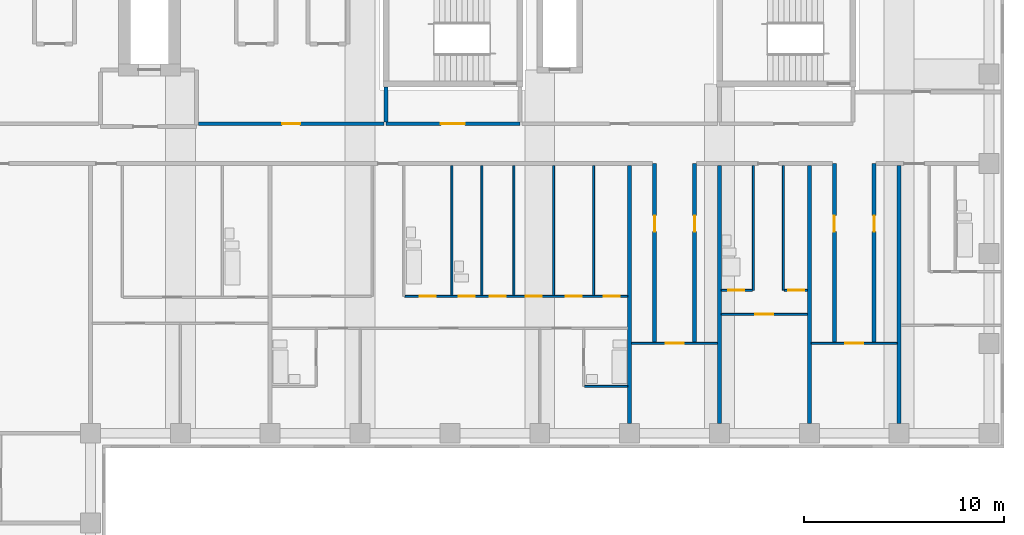
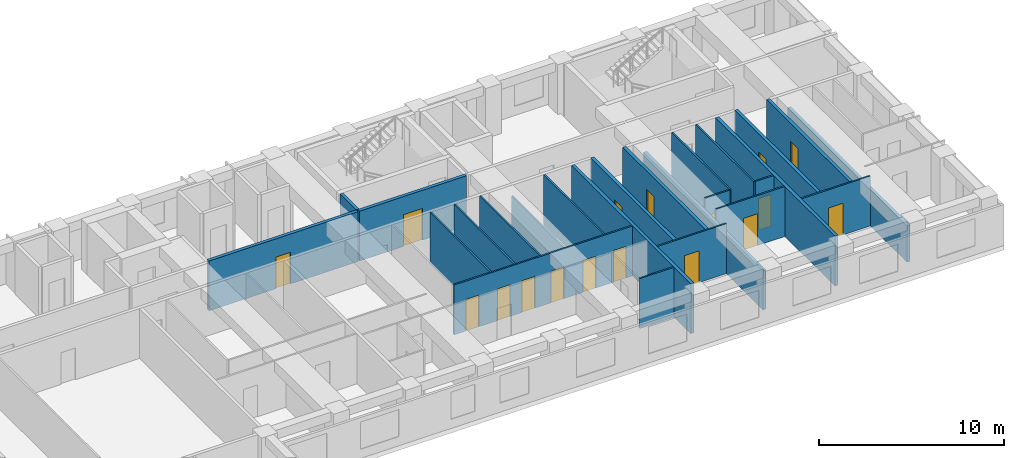
# One storey, part 7 of 12: 25 walls, 17 doors, 17 openings.
"""IFC4 building model written with IfcOpenShell, lengths in metres."""

import ifcopenshell
import ifcopenshell.guid

model = None  # the IFC model being written
_history = None  # IfcOwnerHistory: only IFC2X3 demands one
_inside = {}  # id of a spatial element -> (the spatial element, [elements in it])
_under = {}  # id of a project, library or spatial element -> (it, [spatial elements below it])
_declared = {}  # id of a project -> (the project, [libraries it declares])
_typed = {}  # id of a type object -> (the type object, [elements of that type])
_made_of = {}  # id of a material, layer set ... -> (it, [elements and type objects made of it])


def new_model(schema):
    """Start an empty IFC model of exactly this schema.

    Asked for "IFC4X3", IfcOpenShell would pick the latest addendum, in which some entities
    have other attributes; the version numbers below select the first issue.
    IFC2X3 requires an IfcOwnerHistory on every rooted entity: one is made here for all.
    """
    global model, _history
    if schema == "IFC4X3":
        model = ifcopenshell.file(schema_version=(4, 3, 0, 0))
    else:
        model = ifcopenshell.file(schema=schema)
    _inside.clear()
    _under.clear()
    _declared.clear()
    _typed.clear()
    _made_of.clear()
    _history = None
    if model.schema == "IFC2X3":
        org = make("IfcOrganization", Name="unknown")
        user = make(
            "IfcPersonAndOrganization",
            ThePerson=make("IfcPerson", FamilyName="unknown"),
            TheOrganization=org,
        )
        app = make(
            "IfcApplication",
            ApplicationDeveloper=org,
            Version="unknown",
            ApplicationFullName="unknown",
            ApplicationIdentifier="unknown",
        )
        _history = make(
            "IfcOwnerHistory",
            OwningUser=user,
            OwningApplication=app,
            ChangeAction="ADDED",
            CreationDate=0,
        )
    return model


def make(cls, **values):
    """One entity of the class cls with the attributes given. An attribute that is None is left unset."""
    return model.create_entity(
        cls, **{name: value for name, value in values.items() if value is not None}
    )


def rooted(cls, **values):
    """An entity with a GlobalId (a new one), such as an element, a storey or a relation."""
    return make(cls, GlobalId=ifcopenshell.guid.new(), OwnerHistory=_history, **values)


def si_unit(unit_type, name, prefix=None):
    """IfcSIUnit, for example si_unit("LENGTHUNIT", "METRE", prefix="MILLI")."""
    return make("IfcSIUnit", UnitType=unit_type, Prefix=prefix, Name=name)


def assignment(units):
    """IfcUnitAssignment: the units of a project."""
    return None if units is None else make("IfcUnitAssignment", Units=units)


def point(xyz):
    """IfcCartesianPoint."""
    return None if xyz is None else make("IfcCartesianPoint", Coordinates=xyz)


def direction(xyz):
    """IfcDirection."""
    return None if xyz is None else make("IfcDirection", DirectionRatios=xyz)


def frame(location, z_axis=None, x_axis=None):
    """IfcAxis2Placement3D, a coordinate frame: its origin and axes. An axis left out is left unset."""
    return make(
        "IfcAxis2Placement3D",
        Location=point(location),
        Axis=direction(z_axis),
        RefDirection=direction(x_axis),
    )


def frame_2d(location, x_axis=None):
    """IfcAxis2Placement2D, a coordinate frame in the plane: its origin and x axis."""
    return make(
        "IfcAxis2Placement2D", Location=point(location), RefDirection=direction(x_axis)
    )


def origin():
    """The frame at (0, 0, 0) with its axes left unset."""
    return frame((0.0, 0.0, 0.0))


def place(relative_to, where):
    """IfcLocalPlacement: puts the frame where relative to a parent placement (None: the world)."""
    return make(
        "IfcLocalPlacement", PlacementRelTo=relative_to, RelativePlacement=where
    )


def context(
    kind, dimensions, precision=None, world=None, true_north=None, identifier=None
):
    """IfcGeometricRepresentationContext, for example the 3D "Model" context."""
    return make(
        "IfcGeometricRepresentationContext",
        ContextIdentifier=identifier,
        ContextType=kind,
        CoordinateSpaceDimension=dimensions,
        Precision=precision,
        WorldCoordinateSystem=world,
        TrueNorth=true_north,
    )


def subcontext(parent, identifier, kind, view, scale=None):
    """IfcGeometricRepresentationSubContext, for example "Body" below "Model"."""
    return make(
        "IfcGeometricRepresentationSubContext",
        ContextIdentifier=identifier,
        ContextType=kind,
        ParentContext=parent,
        TargetScale=scale,
        TargetView=view,
    )


def project(units=None, contexts=None):
    """IfcProject with its units and contexts."""
    return rooted(
        "IfcProject",
        Name="project",
        RepresentationContexts=contexts,
        UnitsInContext=assignment(units),
    )


def spatial(cls, under=None, at=None, **own):
    """A site, building, storey or space (cls), placed at a placement, below another one or the project."""
    s = rooted(cls, ObjectPlacement=at, **own)
    if under is not None:
        _under.setdefault(under.id(), (under, []))[1].append(s)
    return s


def profile(cls, at=None, kind="AREA", **sizes):
    """A parametric profile (cls). Its sizes go by their IFC names, for example OverallWidth=200.0."""
    return make(cls, ProfileType=kind, Position=at, **sizes)


def rectangle(**sizes):
    """IfcRectangleProfileDef."""
    return profile("IfcRectangleProfileDef", **sizes)


def extrude(swept, where, along, depth):
    """IfcExtrudedAreaSolid: the profile swept, set in the frame where, extruded along a direction by depth."""
    return make(
        "IfcExtrudedAreaSolid",
        SweptArea=swept,
        Position=where,
        ExtrudedDirection=direction(along),
        Depth=depth,
    )


def shape(context_of_items, identifier, shape_type, items):
    """IfcShapeRepresentation: the items that make up one representation, for example the "Body"."""
    return make(
        "IfcShapeRepresentation",
        ContextOfItems=context_of_items,
        RepresentationIdentifier=identifier,
        RepresentationType=shape_type,
        Items=items,
    )


def material(Name=None, Category=None):
    """IfcMaterial."""
    return make("IfcMaterial", Name=Name, Category=Category)


def layer(
    of_material, thickness, ventilated=None, Name=None, Category=None, Priority=None
):
    """IfcMaterialLayer: one layer of a wall or slab, of a material (None: an air gap)."""
    return make(
        "IfcMaterialLayer",
        Material=of_material,
        LayerThickness=thickness,
        IsVentilated=ventilated,
        Name=Name,
        Category=Category,
        Priority=Priority,
    )


def layer_set(layers, Name=None):
    """IfcMaterialLayerSet."""
    return make("IfcMaterialLayerSet", MaterialLayers=layers, LayerSetName=Name)


def made_of(thing, what):
    """Note that an element or type object is made of a material, layer set ...; save() writes the relation."""
    if what is not None:
        _made_of.setdefault(what.id(), (what, []))[1].append(thing)
    return thing


def type_object(cls, material=None, **own):
    """A type object (cls), such as IfcWallType, which elements share."""
    return made_of(rooted(cls, **own), material)


def element(
    cls,
    number,
    at=None,
    inside=None,
    cuts=None,
    type_object=None,
    material=None,
    context=None,
    identifier="Body",
    shape_type=None,
    held_by="IfcProductDefinitionShape",
    body=None,
    shapes=None,
    **own,
):
    """One element of the class cls, such as IfcWall. Its Tag is "e" and its number.

    at: its placement. inside: the storey or other place that contains it. cuts: it is an
    opening in that element (IfcRelVoidsElement). A single representation is given by context,
    identifier, shape_type and body (its items); several are given by shapes. held_by: the class
    of the entity that holds the representations. save() writes the other relations.
    """
    e = rooted(cls, Tag="e%d" % number, ObjectPlacement=at, **own)
    if body is not None:
        shapes = [shape(context, identifier, shape_type, body)]
    if shapes is not None:
        e.Representation = make(held_by, Representations=shapes)
    if inside is not None:
        _inside.setdefault(inside.id(), (inside, []))[1].append(e)
    if cuts is not None:
        rooted(
            "IfcRelVoidsElement", RelatingBuildingElement=cuts, RelatedOpeningElement=e
        )
    if type_object is not None:
        _typed.setdefault(type_object.id(), (type_object, []))[1].append(e)
    return made_of(e, material)


def fill(opening, filler):
    """IfcRelFillsElement: the door or window that sits in an opening."""
    return rooted(
        "IfcRelFillsElement",
        RelatingOpeningElement=opening,
        RelatedBuildingElement=filler,
    )


def aggregate(whole, parts):
    """IfcRelAggregates: a whole, such as a stair, and the parts it consists of."""
    return rooted("IfcRelAggregates", RelatingObject=whole, RelatedObjects=parts)


def save(model, path):
    """Write the relations noted so far, then the file.

    IfcRelAggregates (storeys below a building ...), IfcRelContainedInSpatialStructure (elements
    in a storey), IfcRelDefinesByType, IfcRelAssociatesMaterial and IfcRelDeclares: one each for
    every whole, place, type object, material and project.
    """
    for whole, parts in _under.values():
        aggregate(whole, parts)
    for where, things in _inside.values():
        rooted(
            "IfcRelContainedInSpatialStructure",
            RelatedElements=things,
            RelatingStructure=where,
        )
    for kind, things in _typed.values():
        rooted("IfcRelDefinesByType", RelatedObjects=things, RelatingType=kind)
    for what, things in _made_of.values():
        rooted("IfcRelAssociatesMaterial", RelatedObjects=things, RelatingMaterial=what)
    for by, libraries in _declared.values():
        rooted("IfcRelDeclares", RelatingContext=by, RelatedDefinitions=libraries)
    model.write(path)


model = new_model("IFC4")

# Units and contexts
model_context = context("Model", 3, precision=1e-05, world=origin(), true_north=direction((0.0, 1.0)))
body_context = subcontext(model_context, "Body", "Model", "MODEL_VIEW")
ifc_project = project(units=[si_unit("LENGTHUNIT", "METRE"), si_unit("AREAUNIT", "SQUARE_METRE"), si_unit("VOLUMEUNIT", "CUBIC_METRE"), si_unit("PLANEANGLEUNIT", "RADIAN"), si_unit("MASSUNIT", "GRAM", prefix="KILO")], contexts=[model_context])

# Site, building, storey
site_placement = place(None, origin())
site = spatial("IfcSite", under=ifc_project, at=site_placement, CompositionType="ELEMENT")
building_placement = place(site_placement, origin())
building = spatial("IfcBuilding", under=site, at=building_placement, Name="Firuza Court", CompositionType="ELEMENT")
storey_placement = place(building_placement, frame((0.0, 0.0, 123.199951171875)))
storey = spatial("IfcBuildingStorey", under=building, at=storey_placement, Name="L30", CompositionType="ELEMENT", Elevation=123.199951171875)

# Walls
ifc_material_1 = material(Name="Moisture-resistant gypsum board partition")
ifc_layer_1 = layer(ifc_material_1, 0.10009765625)
ifc_layer_set_1 = layer_set([ifc_layer_1], Name="Moisture-resistant gypsum board partition")
wall_type_1 = type_object("IfcWallType", Name="Bathroom partition 100", PredefinedType="PLUMBINGWALL", material=ifc_layer_set_1)
wall_1_placement = place(storey_placement, frame((47.25, 38.35009765625, 0.0), z_axis=(0.0, 0.0, 1.0), x_axis=(1.0, 0.0, 0.0)))
element("IfcWall", 1, at=wall_1_placement, inside=storey, type_object=wall_type_1, Name="Bathroom partition 100 L30", PredefinedType="PLUMBINGWALL", context=body_context, shape_type="SweptSolid", body=[
    extrude(rectangle(XDim=2.14990234375, YDim=0.10009765625, at=frame_2d((1.074951171875, 0.0))), origin(), (0.0, 0.0, 1.0), 3.300048828125),
])
for number, where, z_axis, x_axis, name in (
    (2, (40.60009765625, 42.89990234375, 0.0), (0.0, 0.0, 1.0), (0.0, 1.0, 0.0), "Bathroom partition 100 L30"),
    (3, (42.10009765625, 42.89990234375, 0.0), (0.0, 0.0, 1.0), (0.0, 1.0, 0.0), "Bathroom partition 100 L30"),
):
    element("IfcWall", number, at=place(storey_placement, frame(where, z_axis=z_axis, x_axis=x_axis)), inside=storey, type_object=wall_type_1, Name=name, PredefinedType="PLUMBINGWALL", context=body_context, shape_type="SweptSolid", body=[
        extrude(rectangle(XDim=6.5, YDim=0.10009765625, at=frame_2d((3.25, 0.0))), origin(), (0.0, 0.0, 1.0), 3.300048828125),
    ])
wall_2_placement = place(storey_placement, frame((55.699951171875, 43.14990234375, 0.0), z_axis=(0.0, 0.0, 1.0), x_axis=(0.0, 1.0, 0.0)))
element("IfcWall", 4, at=wall_2_placement, inside=storey, type_object=wall_type_1, Name="Bathroom partition 100 L30", PredefinedType="PLUMBINGWALL", context=body_context, shape_type="SweptSolid", body=[
    extrude(rectangle(XDim=6.25, YDim=0.10009765625, at=frame_2d((3.125, 0.0))), origin(), (0.0, 0.0, 1.0), 3.300048828125),
])

# Wall, opening, door
ifc_material_2 = material(Name="Blockwork, plastered both sides", Category="masonry")
ifc_layer_2 = layer(ifc_material_2, 0.199951171875)
ifc_layer_set_2 = layer_set([ifc_layer_2], Name="Blockwork, plastered both sides")
wall_type_2 = type_object("IfcWallType", Name="Corridor wall 200", PredefinedType="PARTITIONING", material=ifc_layer_set_2)
wall_3_placement = place(storey_placement, frame((50.75, 40.550048828125, 0.0), z_axis=(0.0, 0.0, 1.0), x_axis=(0.0, 1.0, 0.0)))
wall_3 = element("IfcWall", 5, at=wall_3_placement, inside=storey, type_object=wall_type_2, Name="Corridor wall 200 L30", PredefinedType="PARTITIONING", context=body_context, shape_type="SweptSolid", body=[
    extrude(rectangle(XDim=8.949951171875, YDim=0.199951171875, at=frame_2d((4.47509765625, 0.0))), origin(), (0.0, 0.0, 1.0), 3.300048828125),
])
opening_1_placement = place(wall_3_placement, frame((5.550048828125, 0.0, 0.0)))
opening_1 = element("IfcOpeningElement", 6, at=opening_1_placement, cuts=wall_3, Name="Opening D30042", PredefinedType="OPENING", context=body_context, shape_type="SweptSolid", body=[
    extrude(rectangle(XDim=0.800048828125, YDim=2.10009765625, at=frame_2d((0.39990234375, 1.050048828125))), frame((0.0, 0.11181640625, 0.0), z_axis=(0.0, -1.0, 0.0), x_axis=(1.0, 0.0, 0.0)), (0.0, 0.0, 1.0), 0.223876953125),
])
ifc_material_3 = material(Name="Timber door leaf in hardwood frame", Category="wood")
door_type_1 = type_object("IfcDoorType", Name="Room door 800 EI 30", OperationType="SINGLE_SWING_LEFT", PredefinedType="DOOR", material=ifc_material_3)
door_1_placement = place(opening_1_placement, origin())
door_1 = element("IfcDoor", 7, at=door_1_placement, inside=storey, type_object=door_type_1, Name="Store door", OperationType="SINGLE_SWING_RIGHT", OverallHeight=2.10009765625, OverallWidth=0.800048828125, PredefinedType="DOOR", context=body_context, shape_type="SweptSolid", body=[
    extrude(rectangle(XDim=0.800048828125, YDim=2.10009765625, at=frame_2d((0.39990234375, 1.050048828125))), frame((0.0, 0.02490234375, 0.0), z_axis=(0.0, -1.0, 0.0), x_axis=(1.0, 0.0, 0.0)), (0.0, 0.0, 1.0), 0.050048828125),
])
fill(opening_1, door_1)

wall_4_placement = place(storey_placement, frame((52.75, 40.550048828125, 0.0), z_axis=(0.0, 0.0, 1.0), x_axis=(0.0, 1.0, 0.0)))
wall_4 = element("IfcWall", 8, at=wall_4_placement, inside=storey, type_object=wall_type_2, Name="Corridor wall 200 L30", PredefinedType="PARTITIONING", context=body_context, shape_type="SweptSolid", body=[
    extrude(rectangle(XDim=8.949951171875, YDim=0.199951171875, at=frame_2d((4.47509765625, 0.0))), origin(), (0.0, 0.0, 1.0), 3.300048828125),
])
opening_2_placement = place(wall_4_placement, frame((5.550048828125, 0.0, 0.0)))
opening_2 = element("IfcOpeningElement", 9, at=opening_2_placement, cuts=wall_4, Name="Opening D30043", PredefinedType="OPENING", context=body_context, shape_type="SweptSolid", body=[
    extrude(rectangle(XDim=0.800048828125, YDim=2.10009765625, at=frame_2d((0.39990234375, 1.050048828125))), frame((0.0, 0.11181640625, 0.0), z_axis=(0.0, -1.0, 0.0), x_axis=(1.0, 0.0, 0.0)), (0.0, 0.0, 1.0), 0.223876953125),
])
door_2_placement = place(opening_2_placement, frame((0.800048828125, 0.0, 0.0), z_axis=(0.0, 0.0, 1.0), x_axis=(-1.0, 0.0, 0.0)))
door_2 = element("IfcDoor", 10, at=door_2_placement, inside=storey, type_object=door_type_1, Name="Store door", OperationType="SINGLE_SWING_LEFT", OverallHeight=2.10009765625, OverallWidth=0.800048828125, PredefinedType="DOOR", context=body_context, shape_type="SweptSolid", body=[
    extrude(rectangle(XDim=0.800048828125, YDim=2.10009765625, at=frame_2d((0.39990234375, 1.050048828125))), frame((0.0, 0.02490234375, 0.0), z_axis=(0.0, -1.0, 0.0), x_axis=(1.0, 0.0, 0.0)), (0.0, 0.0, 1.0), 0.050048828125),
])
fill(opening_2, door_2)

wall_5_placement = place(storey_placement, frame((59.75, 40.550048828125, 0.0), z_axis=(0.0, 0.0, 1.0), x_axis=(0.0, 1.0, 0.0)))
wall_5 = element("IfcWall", 11, at=wall_5_placement, inside=storey, type_object=wall_type_2, Name="Corridor wall 200 L30", PredefinedType="PARTITIONING", context=body_context, shape_type="SweptSolid", body=[
    extrude(rectangle(XDim=8.949951171875, YDim=0.199951171875, at=frame_2d((4.47509765625, 0.0))), origin(), (0.0, 0.0, 1.0), 3.300048828125),
])
opening_3_placement = place(wall_5_placement, frame((5.550048828125, 0.0, 0.0)))
opening_3 = element("IfcOpeningElement", 12, at=opening_3_placement, cuts=wall_5, Name="Opening D30044", PredefinedType="OPENING", context=body_context, shape_type="SweptSolid", body=[
    extrude(rectangle(XDim=0.800048828125, YDim=2.10009765625, at=frame_2d((0.39990234375, 1.050048828125))), frame((0.0, 0.11181640625, 0.0), z_axis=(0.0, -1.0, 0.0), x_axis=(1.0, 0.0, 0.0)), (0.0, 0.0, 1.0), 0.223876953125),
])
door_3_placement = place(opening_3_placement, origin())
door_3 = element("IfcDoor", 13, at=door_3_placement, inside=storey, type_object=door_type_1, Name="Store door", OperationType="SINGLE_SWING_RIGHT", OverallHeight=2.10009765625, OverallWidth=0.800048828125, PredefinedType="DOOR", context=body_context, shape_type="SweptSolid", body=[
    extrude(rectangle(XDim=0.800048828125, YDim=2.10009765625, at=frame_2d((0.39990234375, 1.050048828125))), frame((0.0, 0.02490234375, 0.0), z_axis=(0.0, -1.0, 0.0), x_axis=(1.0, 0.0, 0.0)), (0.0, 0.0, 1.0), 0.050048828125),
])
fill(opening_3, door_3)

wall_6_placement = place(storey_placement, frame((61.75, 40.550048828125, 0.0), z_axis=(0.0, 0.0, 1.0), x_axis=(0.0, 1.0, 0.0)))
wall_6 = element("IfcWall", 14, at=wall_6_placement, inside=storey, type_object=wall_type_2, Name="Corridor wall 200 L30", PredefinedType="PARTITIONING", context=body_context, shape_type="SweptSolid", body=[
    extrude(rectangle(XDim=8.949951171875, YDim=0.199951171875, at=frame_2d((4.47509765625, 0.0))), origin(), (0.0, 0.0, 1.0), 3.300048828125),
])
opening_4_placement = place(wall_6_placement, frame((5.550048828125, 0.0, 0.0)))
opening_4 = element("IfcOpeningElement", 15, at=opening_4_placement, cuts=wall_6, Name="Opening D30045", PredefinedType="OPENING", context=body_context, shape_type="SweptSolid", body=[
    extrude(rectangle(XDim=0.800048828125, YDim=2.10009765625, at=frame_2d((0.39990234375, 1.050048828125))), frame((0.0, 0.11181640625, 0.0), z_axis=(0.0, -1.0, 0.0), x_axis=(1.0, 0.0, 0.0)), (0.0, 0.0, 1.0), 0.223876953125),
])
door_4_placement = place(opening_4_placement, frame((0.800048828125, 0.0, 0.0), z_axis=(0.0, 0.0, 1.0), x_axis=(-1.0, 0.0, 0.0)))
door_4 = element("IfcDoor", 16, at=door_4_placement, inside=storey, type_object=door_type_1, Name="Store door", OperationType="SINGLE_SWING_LEFT", OverallHeight=2.10009765625, OverallWidth=0.800048828125, PredefinedType="DOOR", context=body_context, shape_type="SweptSolid", body=[
    extrude(rectangle(XDim=0.800048828125, YDim=2.10009765625, at=frame_2d((0.39990234375, 1.050048828125))), frame((0.0, 0.02490234375, 0.0), z_axis=(0.0, -1.0, 0.0), x_axis=(1.0, 0.0, 0.0)), (0.0, 0.0, 1.0), 0.050048828125),
])
fill(opening_4, door_4)

wall_7_placement = place(storey_placement, frame((27.89990234375, 51.5, 0.0), z_axis=(0.0, 0.0, 1.0), x_axis=(1.0, 0.0, 0.0)))
wall_7 = element("IfcWall", 17, at=wall_7_placement, inside=storey, type_object=wall_type_2, Name="Corridor wall 200 L30", PredefinedType="PARTITIONING", context=body_context, shape_type="SweptSolid", body=[
    extrude(rectangle(XDim=9.300048828125, YDim=0.199951171875, at=frame_2d((4.64990234375, 0.0))), origin(), (0.0, 0.0, 1.0), 3.300048828125),
])
opening_5_placement = place(wall_7_placement, frame((4.199951171875, 0.0, 0.0)))
opening_5 = element("IfcOpeningElement", 18, at=opening_5_placement, cuts=wall_7, Name="Opening D30072", PredefinedType="OPENING", context=body_context, shape_type="SweptSolid", body=[
    extrude(rectangle(XDim=0.89990234375, YDim=2.10009765625, at=frame_2d((0.449951171875, 1.050048828125))), frame((0.0, 0.11181640625, 0.0), z_axis=(0.0, -1.0, 0.0), x_axis=(1.0, 0.0, 0.0)), (0.0, 0.0, 1.0), 0.223876953125),
])
ifc_material_4 = material(Name="Timber door leaf in hardwood frame", Category="wood")
door_type_2 = type_object("IfcDoorType", Name="Room door 900 EI 30", OperationType="SINGLE_SWING_LEFT", PredefinedType="DOOR", material=ifc_material_4)
door_5_placement = place(opening_5_placement, origin())
door_5 = element("IfcDoor", 19, at=door_5_placement, inside=storey, type_object=door_type_2, Name="Meeting room door", OperationType="SINGLE_SWING_LEFT", OverallHeight=2.10009765625, OverallWidth=0.89990234375, PredefinedType="DOOR", context=body_context, shape_type="SweptSolid", body=[
    extrude(rectangle(XDim=0.89990234375, YDim=2.10009765625, at=frame_2d((0.449951171875, 1.050048828125))), frame((0.0, 0.02490234375, 0.0), z_axis=(0.0, -1.0, 0.0), x_axis=(1.0, 0.0, 0.0)), (0.0, 0.0, 1.0), 0.050048828125),
])
fill(opening_5, door_5)

ifc_material_5 = material(Name="Timber stud partition, plasterboard both sides", Category="wood")
ifc_layer_3 = layer(ifc_material_5, 0.10009765625)
ifc_layer_set_3 = layer_set([ifc_layer_3], Name="Timber stud partition, plasterboard both sides")
wall_type_3 = type_object("IfcWallType", Name="Partition wall 100", PredefinedType="PARTITIONING", material=ifc_layer_set_3)
wall_8_placement = place(storey_placement, frame((49.60009765625, 40.5, 0.0), z_axis=(0.0, 0.0, 1.0), x_axis=(1.0, 0.0, 0.0)))
wall_8 = element("IfcWall", 20, at=wall_8_placement, inside=storey, type_object=wall_type_3, Name="Partition wall 100 L30", PredefinedType="PARTITIONING", context=body_context, shape_type="SweptSolid", body=[
    extrude(rectangle(XDim=4.2998046875, YDim=0.10009765625, at=frame_2d((2.14990234375, 0.0))), origin(), (0.0, 0.0, 1.0), 3.300048828125),
])
opening_6_placement = place(wall_8_placement, frame((1.699951171875, 0.0, 0.0)))
opening_6 = element("IfcOpeningElement", 21, at=opening_6_placement, cuts=wall_8, Name="Opening D30040", PredefinedType="OPENING", context=body_context, shape_type="SweptSolid", body=[
    extrude(rectangle(XDim=0.89990234375, YDim=2.10009765625, at=frame_2d((0.449951171875, 1.050048828125))), frame((0.0, 0.06201171875, 0.0), z_axis=(0.0, -1.0, 0.0), x_axis=(1.0, 0.0, 0.0)), (0.0, 0.0, 1.0), 0.1240234375),
])
ifc_material_6 = material(Name="Timber door leaf in hardwood frame", Category="wood")
door_type_3 = type_object("IfcDoorType", Name="Room door 900", OperationType="SINGLE_SWING_LEFT", PredefinedType="DOOR", material=ifc_material_6)
door_6_placement = place(opening_6_placement, origin())
door_6 = element("IfcDoor", 22, at=door_6_placement, inside=storey, type_object=door_type_3, Name="Sky lounge door", OperationType="SINGLE_SWING_LEFT", OverallHeight=2.10009765625, OverallWidth=0.89990234375, PredefinedType="DOOR", context=body_context, shape_type="SweptSolid", body=[
    extrude(rectangle(XDim=0.89990234375, YDim=2.10009765625, at=frame_2d((0.449951171875, 1.050048828125))), frame((0.0, 0.02490234375, 0.0), z_axis=(0.0, -1.0, 0.0), x_axis=(1.0, 0.0, 0.0)), (0.0, 0.0, 1.0), 0.050048828125),
])
fill(opening_6, door_6)

wall_9_placement = place(storey_placement, frame((58.60009765625, 40.5, 0.0), z_axis=(0.0, 0.0, 1.0), x_axis=(1.0, 0.0, 0.0)))
wall_9 = element("IfcWall", 23, at=wall_9_placement, inside=storey, type_object=wall_type_3, Name="Partition wall 100 L30", PredefinedType="PARTITIONING", context=body_context, shape_type="SweptSolid", body=[
    extrude(rectangle(XDim=4.2998046875, YDim=0.10009765625, at=frame_2d((2.14990234375, 0.0))), origin(), (0.0, 0.0, 1.0), 3.300048828125),
])
opening_7_placement = place(wall_9_placement, frame((1.699951171875, 0.0, 0.0)))
opening_7 = element("IfcOpeningElement", 24, at=opening_7_placement, cuts=wall_9, Name="Opening D30041", PredefinedType="OPENING", context=body_context, shape_type="SweptSolid", body=[
    extrude(rectangle(XDim=0.89990234375, YDim=2.10009765625, at=frame_2d((0.449951171875, 1.050048828125))), frame((0.0, 0.06201171875, 0.0), z_axis=(0.0, -1.0, 0.0), x_axis=(1.0, 0.0, 0.0)), (0.0, 0.0, 1.0), 0.1240234375),
])
door_7_placement = place(opening_7_placement, origin())
door_7 = element("IfcDoor", 25, at=door_7_placement, inside=storey, type_object=door_type_3, Name="Residents' lounge door", OperationType="SINGLE_SWING_LEFT", OverallHeight=2.10009765625, OverallWidth=0.89990234375, PredefinedType="DOOR", context=body_context, shape_type="SweptSolid", body=[
    extrude(rectangle(XDim=0.89990234375, YDim=2.10009765625, at=frame_2d((0.449951171875, 1.050048828125))), frame((0.0, 0.02490234375, 0.0), z_axis=(0.0, -1.0, 0.0), x_axis=(1.0, 0.0, 0.0)), (0.0, 0.0, 1.0), 0.050048828125),
])
fill(opening_7, door_7)

wall_10_placement = place(storey_placement, frame((54.10009765625, 41.949951171875, 0.0), z_axis=(0.0, 0.0, 1.0), x_axis=(1.0, 0.0, 0.0)))
wall_10 = element("IfcWall", 26, at=wall_10_placement, inside=storey, type_object=wall_type_3, Name="Partition wall 100 L30", PredefinedType="PARTITIONING", context=body_context, shape_type="SweptSolid", body=[
    extrude(rectangle(XDim=4.2998046875, YDim=0.10009765625, at=frame_2d((2.14990234375, 0.0))), origin(), (0.0, 0.0, 1.0), 3.300048828125),
])
opening_8_placement = place(wall_10_placement, frame((1.699951171875, 0.0, 0.0)))
opening_8 = element("IfcOpeningElement", 27, at=opening_8_placement, cuts=wall_10, Name="Opening D30052", PredefinedType="OPENING", context=body_context, shape_type="SweptSolid", body=[
    extrude(rectangle(XDim=0.89990234375, YDim=2.10009765625, at=frame_2d((0.449951171875, 1.050048828125))), frame((0.0, 0.06201171875, 0.0), z_axis=(0.0, -1.0, 0.0), x_axis=(1.0, 0.0, 0.0)), (0.0, 0.0, 1.0), 0.1240234375),
])
door_8_placement = place(opening_8_placement, frame((0.89990234375, 0.0, 0.0), z_axis=(0.0, 0.0, 1.0), x_axis=(-1.0, 0.0, 0.0)))
door_8 = element("IfcDoor", 28, at=door_8_placement, inside=storey, type_object=door_type_3, Name="Studio room door", OperationType="SINGLE_SWING_RIGHT", OverallHeight=2.10009765625, OverallWidth=0.89990234375, PredefinedType="DOOR", context=body_context, shape_type="SweptSolid", body=[
    extrude(rectangle(XDim=0.89990234375, YDim=2.10009765625, at=frame_2d((0.449951171875, 1.050048828125))), frame((0.0, 0.02490234375, 0.0), z_axis=(0.0, -1.0, 0.0), x_axis=(1.0, 0.0, 0.0)), (0.0, 0.0, 1.0), 0.050048828125),
])
fill(opening_8, door_8)

# Wall, openings, doors
wall_11_placement = place(storey_placement, frame((38.25, 42.85009765625, 0.0), z_axis=(0.0, 0.0, 1.0), x_axis=(1.0, 0.0, 0.0)))
wall_11 = element("IfcWall", 29, at=wall_11_placement, inside=storey, type_object=wall_type_3, Name="Partition wall 100 L30", PredefinedType="PARTITIONING", context=body_context, shape_type="SweptSolid", body=[
    extrude(rectangle(XDim=11.14990234375, YDim=0.10009765625, at=frame_2d((5.574951171875, 0.0))), origin(), (0.0, 0.0, 1.0), 3.300048828125),
])
opening_9_placement = place(wall_11_placement, frame((0.75, 0.0, 0.0)))
opening_9 = element("IfcOpeningElement", 30, at=opening_9_placement, cuts=wall_11, Name="Opening D30056", PredefinedType="OPENING", context=body_context, shape_type="SweptSolid", body=[
    extrude(rectangle(XDim=0.800048828125, YDim=2.10009765625, at=frame_2d((0.39990234375, 1.050048828125))), frame((0.0, 0.06201171875, 0.0), z_axis=(0.0, -1.0, 0.0), x_axis=(1.0, 0.0, 0.0)), (0.0, 0.0, 1.0), 0.1240234375),
])
opening_10_placement = place(wall_11_placement, frame((8.050048828125, 0.0, 0.0)))
opening_10 = element("IfcOpeningElement", 31, at=opening_10_placement, cuts=wall_11, Name="Opening D30057", PredefinedType="OPENING", context=body_context, shape_type="SweptSolid", body=[
    extrude(rectangle(XDim=0.800048828125, YDim=2.10009765625, at=frame_2d((0.39990234375, 1.050048828125))), frame((0.0, 0.06201171875, 0.0), z_axis=(0.0, -1.0, 0.0), x_axis=(1.0, 0.0, 0.0)), (0.0, 0.0, 1.0), 0.1240234375),
])
opening_11_placement = place(wall_11_placement, frame((4.25, 0.0, 0.0)))
opening_11 = element("IfcOpeningElement", 32, at=opening_11_placement, cuts=wall_11, Name="Opening D30058", PredefinedType="OPENING", context=body_context, shape_type="SweptSolid", body=[
    extrude(rectangle(XDim=0.800048828125, YDim=2.10009765625, at=frame_2d((0.39990234375, 1.050048828125))), frame((0.0, 0.06201171875, 0.0), z_axis=(0.0, -1.0, 0.0), x_axis=(1.0, 0.0, 0.0)), (0.0, 0.0, 1.0), 0.1240234375),
])
opening_12_placement = place(wall_11_placement, frame((6.050048828125, 0.0, 0.0)))
opening_12 = element("IfcOpeningElement", 33, at=opening_12_placement, cuts=wall_11, Name="Opening D30059", PredefinedType="OPENING", context=body_context, shape_type="SweptSolid", body=[
    extrude(rectangle(XDim=0.800048828125, YDim=2.10009765625, at=frame_2d((0.39990234375, 1.050048828125))), frame((0.0, 0.06201171875, 0.0), z_axis=(0.0, -1.0, 0.0), x_axis=(1.0, 0.0, 0.0)), (0.0, 0.0, 1.0), 0.1240234375),
])
opening_13_placement = place(wall_11_placement, frame((9.949951171875, 0.0, 0.0)))
opening_13 = element("IfcOpeningElement", 34, at=opening_13_placement, cuts=wall_11, Name="Opening D30060", PredefinedType="OPENING", context=body_context, shape_type="SweptSolid", body=[
    extrude(rectangle(XDim=0.800048828125, YDim=2.10009765625, at=frame_2d((0.39990234375, 1.050048828125))), frame((0.0, 0.06201171875, 0.0), z_axis=(0.0, -1.0, 0.0), x_axis=(1.0, 0.0, 0.0)), (0.0, 0.0, 1.0), 0.1240234375),
])
opening_14_placement = place(wall_11_placement, frame((2.699951171875, 0.0, 0.0)))
opening_14 = element("IfcOpeningElement", 35, at=opening_14_placement, cuts=wall_11, Name="Opening D30061", PredefinedType="OPENING", context=body_context, shape_type="SweptSolid", body=[
    extrude(rectangle(XDim=0.800048828125, YDim=2.10009765625, at=frame_2d((0.39990234375, 1.050048828125))), frame((0.0, 0.06201171875, 0.0), z_axis=(0.0, -1.0, 0.0), x_axis=(1.0, 0.0, 0.0)), (0.0, 0.0, 1.0), 0.1240234375),
])
ifc_material_7 = material(Name="Timber door leaf in hardwood frame", Category="wood")
door_type_4 = type_object("IfcDoorType", Name="Bathroom door 800", OperationType="SINGLE_SWING_LEFT", PredefinedType="DOOR", material=ifc_material_7)
door_9_placement = place(opening_9_placement, origin())
door_9 = element("IfcDoor", 36, at=door_9_placement, inside=storey, type_object=door_type_4, Name="Bathroom door", OperationType="SINGLE_SWING_LEFT", OverallHeight=2.10009765625, OverallWidth=0.800048828125, PredefinedType="DOOR", context=body_context, shape_type="SweptSolid", body=[
    extrude(rectangle(XDim=0.800048828125, YDim=2.10009765625, at=frame_2d((0.39990234375, 1.050048828125))), frame((0.0, 0.02490234375, 0.0), z_axis=(0.0, -1.0, 0.0), x_axis=(1.0, 0.0, 0.0)), (0.0, 0.0, 1.0), 0.050048828125),
])
fill(opening_9, door_9)
door_10_placement = place(opening_14_placement, origin())
door_10 = element("IfcDoor", 37, at=door_10_placement, inside=storey, type_object=door_type_4, Name="Powder room door", OperationType="SINGLE_SWING_LEFT", OverallHeight=2.10009765625, OverallWidth=0.800048828125, PredefinedType="DOOR", context=body_context, shape_type="SweptSolid", body=[
    extrude(rectangle(XDim=0.800048828125, YDim=2.10009765625, at=frame_2d((0.39990234375, 1.050048828125))), frame((0.0, 0.02490234375, 0.0), z_axis=(0.0, -1.0, 0.0), x_axis=(1.0, 0.0, 0.0)), (0.0, 0.0, 1.0), 0.050048828125),
])
fill(opening_14, door_10)
ifc_material_8 = material(Name="Timber door leaf in hardwood frame", Category="wood")
door_type_5 = type_object("IfcDoorType", Name="Room door 800", OperationType="SINGLE_SWING_LEFT", PredefinedType="DOOR", material=ifc_material_8)
door_11_placement = place(opening_10_placement, origin())
door_11 = element("IfcDoor", 38, at=door_11_placement, inside=storey, type_object=door_type_5, Name="Pantry door", OperationType="SINGLE_SWING_LEFT", OverallHeight=2.10009765625, OverallWidth=0.800048828125, PredefinedType="DOOR", context=body_context, shape_type="SweptSolid", body=[
    extrude(rectangle(XDim=0.800048828125, YDim=2.10009765625, at=frame_2d((0.39990234375, 1.050048828125))), frame((0.0, 0.02490234375, 0.0), z_axis=(0.0, -1.0, 0.0), x_axis=(1.0, 0.0, 0.0)), (0.0, 0.0, 1.0), 0.050048828125),
])
fill(opening_10, door_11)
door_12_placement = place(opening_11_placement, origin())
door_12 = element("IfcDoor", 39, at=door_12_placement, inside=storey, type_object=door_type_5, Name="Store door", OperationType="SINGLE_SWING_LEFT", OverallHeight=2.10009765625, OverallWidth=0.800048828125, PredefinedType="DOOR", context=body_context, shape_type="SweptSolid", body=[
    extrude(rectangle(XDim=0.800048828125, YDim=2.10009765625, at=frame_2d((0.39990234375, 1.050048828125))), frame((0.0, 0.02490234375, 0.0), z_axis=(0.0, -1.0, 0.0), x_axis=(1.0, 0.0, 0.0)), (0.0, 0.0, 1.0), 0.050048828125),
])
fill(opening_11, door_12)
door_13_placement = place(opening_12_placement, origin())
door_13 = element("IfcDoor", 40, at=door_13_placement, inside=storey, type_object=door_type_5, Name="Utility room door", OperationType="SINGLE_SWING_LEFT", OverallHeight=2.10009765625, OverallWidth=0.800048828125, PredefinedType="DOOR", context=body_context, shape_type="SweptSolid", body=[
    extrude(rectangle(XDim=0.800048828125, YDim=2.10009765625, at=frame_2d((0.39990234375, 1.050048828125))), frame((0.0, 0.02490234375, 0.0), z_axis=(0.0, -1.0, 0.0), x_axis=(1.0, 0.0, 0.0)), (0.0, 0.0, 1.0), 0.050048828125),
])
fill(opening_12, door_13)
door_14_placement = place(opening_13_placement, origin())
door_14 = element("IfcDoor", 41, at=door_14_placement, inside=storey, type_object=door_type_5, Name="Walk-in wardrobe door", OperationType="SINGLE_SWING_LEFT", OverallHeight=2.10009765625, OverallWidth=0.800048828125, PredefinedType="DOOR", context=body_context, shape_type="SweptSolid", body=[
    extrude(rectangle(XDim=0.800048828125, YDim=2.10009765625, at=frame_2d((0.39990234375, 1.050048828125))), frame((0.0, 0.02490234375, 0.0), z_axis=(0.0, -1.0, 0.0), x_axis=(1.0, 0.0, 0.0)), (0.0, 0.0, 1.0), 0.050048828125),
])
fill(opening_13, door_14)

# Walls
wall_12_placement = place(storey_placement, frame((43.699951171875, 42.89990234375, 0.0), z_axis=(0.0, 0.0, 1.0), x_axis=(0.0, 1.0, 0.0)))
element("IfcWall", 42, at=wall_12_placement, inside=storey, type_object=wall_type_3, Name="Partition wall 100 L30", PredefinedType="PARTITIONING", context=body_context, shape_type="SweptSolid", body=[
    extrude(rectangle(XDim=6.5, YDim=0.10009765625, at=frame_2d((3.25, 0.0))), origin(), (0.0, 0.0, 1.0), 3.300048828125),
])
wall_13_placement = place(storey_placement, frame((45.699951171875, 42.89990234375, 0.0), z_axis=(0.0, 0.0, 1.0), x_axis=(0.0, 1.0, 0.0)))
element("IfcWall", 43, at=wall_13_placement, inside=storey, type_object=wall_type_3, Name="Partition wall 100 L30", PredefinedType="PARTITIONING", context=body_context, shape_type="SweptSolid", body=[
    extrude(rectangle(XDim=6.5, YDim=0.10009765625, at=frame_2d((3.25, 0.0))), origin(), (0.0, 0.0, 1.0), 2.60009765625),
])
wall_14_placement = place(storey_placement, frame((47.699951171875, 42.89990234375, 0.0), z_axis=(0.0, 0.0, 1.0), x_axis=(0.0, 1.0, 0.0)))
element("IfcWall", 44, at=wall_14_placement, inside=storey, type_object=wall_type_3, Name="Partition wall 100 L30", PredefinedType="PARTITIONING", context=body_context, shape_type="SweptSolid", body=[
    extrude(rectangle(XDim=6.5, YDim=0.10009765625, at=frame_2d((3.25, 0.0))), origin(), (0.0, 0.0, 1.0), 3.300048828125),
])

# Wall, opening, door
wall_15_placement = place(storey_placement, frame((54.10009765625, 43.14990234375, 0.0), z_axis=(0.0, 0.0, 1.0), x_axis=(1.0, 0.0, 0.0)))
wall_15 = element("IfcWall", 45, at=wall_15_placement, inside=storey, type_object=wall_type_3, Name="Partition wall 100 L30", PredefinedType="PARTITIONING", context=body_context, shape_type="SweptSolid", body=[
    extrude(rectangle(XDim=1.5498046875, YDim=0.10009765625, at=frame_2d((0.77490234375, 0.0))), origin(), (0.0, 0.0, 1.0), 3.300048828125),
])
opening_15_placement = place(wall_15_placement, frame((0.35009765625, 0.0, 0.0)))
opening_15 = element("IfcOpeningElement", 46, at=opening_15_placement, cuts=wall_15, Name="Opening D30062", PredefinedType="OPENING", context=body_context, shape_type="SweptSolid", body=[
    extrude(rectangle(XDim=0.800048828125, YDim=2.10009765625, at=frame_2d((0.39990234375, 1.050048828125))), frame((0.0, 0.06201171875, 0.0), z_axis=(0.0, -1.0, 0.0), x_axis=(1.0, 0.0, 0.0)), (0.0, 0.0, 1.0), 0.1240234375),
])
door_15_placement = place(opening_15_placement, origin())
door_15 = element("IfcDoor", 47, at=door_15_placement, inside=storey, type_object=door_type_4, Name="Bathroom door", OperationType="SINGLE_SWING_LEFT", OverallHeight=2.10009765625, OverallWidth=0.800048828125, PredefinedType="DOOR", context=body_context, shape_type="SweptSolid", body=[
    extrude(rectangle(XDim=0.800048828125, YDim=2.10009765625, at=frame_2d((0.39990234375, 1.050048828125))), frame((0.0, 0.02490234375, 0.0), z_axis=(0.0, -1.0, 0.0), x_axis=(1.0, 0.0, 0.0)), (0.0, 0.0, 1.0), 0.050048828125),
])
fill(opening_15, door_15)

# Wall
wall_16_placement = place(storey_placement, frame((57.199951171875, 43.14990234375, 0.0), z_axis=(0.0, 0.0, 1.0), x_axis=(0.0, 1.0, 0.0)))
element("IfcWall", 48, at=wall_16_placement, inside=storey, type_object=wall_type_3, Name="Partition wall 100 L30", PredefinedType="PARTITIONING", context=body_context, shape_type="SweptSolid", body=[
    extrude(rectangle(XDim=6.25, YDim=0.10009765625, at=frame_2d((3.125, 0.0))), origin(), (0.0, 0.0, 1.0), 3.300048828125),
])

# Wall, opening, door
wall_17_placement = place(storey_placement, frame((57.25, 43.14990234375, 0.0), z_axis=(0.0, 0.0, 1.0), x_axis=(1.0, 0.0, 0.0)))
wall_17 = element("IfcWall", 49, at=wall_17_placement, inside=storey, type_object=wall_type_3, Name="Partition wall 100 L30", PredefinedType="PARTITIONING", context=body_context, shape_type="SweptSolid", body=[
    extrude(rectangle(XDim=1.14990234375, YDim=0.10009765625, at=frame_2d((0.574951171875, 0.0))), origin(), (0.0, 0.0, 1.0), 3.300048828125),
])
opening_16_placement = place(wall_17_placement, frame((0.199951171875, 0.0, 0.0)))
opening_16 = element("IfcOpeningElement", 50, at=opening_16_placement, cuts=wall_17, Name="Opening D30063", PredefinedType="OPENING", context=body_context, shape_type="SweptSolid", body=[
    extrude(rectangle(XDim=0.800048828125, YDim=2.10009765625, at=frame_2d((0.39990234375, 1.050048828125))), frame((0.0, 0.06201171875, 0.0), z_axis=(0.0, -1.0, 0.0), x_axis=(1.0, 0.0, 0.0)), (0.0, 0.0, 1.0), 0.1240234375),
])
door_16_placement = place(opening_16_placement, origin())
door_16 = element("IfcDoor", 51, at=door_16_placement, inside=storey, type_object=door_type_5, Name="Kitchen door", OperationType="SINGLE_SWING_LEFT", OverallHeight=2.10009765625, OverallWidth=0.800048828125, PredefinedType="DOOR", context=body_context, shape_type="SweptSolid", body=[
    extrude(rectangle(XDim=0.800048828125, YDim=2.10009765625, at=frame_2d((0.39990234375, 1.050048828125))), frame((0.0, 0.02490234375, 0.0), z_axis=(0.0, -1.0, 0.0), x_axis=(1.0, 0.0, 0.0)), (0.0, 0.0, 1.0), 0.050048828125),
])
fill(opening_16, door_16)

# Walls
ifc_layer_4 = layer(ifc_material_2, 0.199951171875)
ifc_layer_set_4 = layer_set([ifc_layer_4], Name="Blockwork, plastered both sides")
wall_type_4 = type_object("IfcWallType", Name="Party wall 200", PredefinedType="PARTITIONING", material=ifc_layer_set_4)
wall_18_placement = place(storey_placement, frame((49.5, 36.5, 0.0), z_axis=(0.0, 0.0, 1.0), x_axis=(0.0, 1.0, 0.0)))
element("IfcWall", 52, at=wall_18_placement, inside=storey, type_object=wall_type_4, Name="Party wall 200 L30", PredefinedType="PARTITIONING", context=body_context, shape_type="SweptSolid", body=[
    extrude(rectangle(XDim=12.89990234375, YDim=0.199951171875, at=frame_2d((6.449951171875, 0.0))), origin(), (0.0, 0.0, 1.0), 3.300048828125),
])
wall_19_placement = place(storey_placement, frame((54.0, 36.5, 0.0), z_axis=(0.0, 0.0, 1.0), x_axis=(0.0, 1.0, 0.0)))
element("IfcWall", 53, at=wall_19_placement, inside=storey, type_object=wall_type_4, Name="Party wall 200 L30", PredefinedType="PARTITIONING", context=body_context, shape_type="SweptSolid", body=[
    extrude(rectangle(XDim=12.89990234375, YDim=0.199951171875, at=frame_2d((6.449951171875, 0.0))), origin(), (0.0, 0.0, 1.0), 2.60009765625),
])
wall_20_placement = place(storey_placement, frame((58.5, 36.5, 0.0), z_axis=(0.0, 0.0, 1.0), x_axis=(0.0, 1.0, 0.0)))
element("IfcWall", 54, at=wall_20_placement, inside=storey, type_object=wall_type_4, Name="Party wall 200 L30", PredefinedType="PARTITIONING", context=body_context, shape_type="SweptSolid", body=[
    extrude(rectangle(XDim=12.89990234375, YDim=0.199951171875, at=frame_2d((6.449951171875, 0.0))), origin(), (0.0, 0.0, 1.0), 3.300048828125),
])
wall_21_placement = place(storey_placement, frame((63.0, 36.5, 0.0), z_axis=(0.0, 0.0, 1.0), x_axis=(0.0, 1.0, 0.0)))
element("IfcWall", 55, at=wall_21_placement, inside=storey, type_object=wall_type_4, Name="Party wall 200 L30", PredefinedType="PARTITIONING", context=body_context, shape_type="SweptSolid", body=[
    extrude(rectangle(XDim=12.89990234375, YDim=0.199951171875, at=frame_2d((6.449951171875, 0.0))), origin(), (0.0, 0.0, 1.0), 2.400146484375),
])

# Wall, opening, door
ifc_material_9 = material(Name="Blockwork, fire-rated", Category="masonry")
ifc_layer_5 = layer(ifc_material_9, 0.199951171875)
ifc_layer_set_5 = layer_set([ifc_layer_5], Name="Blockwork, fire-rated")
wall_type_5 = type_object("IfcWallType", Name="Shaft wall 200", PredefinedType="PARTITIONING", material=ifc_layer_set_5)
wall_22_placement = place(storey_placement, frame((37.300048828125, 51.5, 0.0), z_axis=(0.0, 0.0, 1.0), x_axis=(1.0, 0.0, 0.0)))
wall_22 = element("IfcWall", 56, at=wall_22_placement, inside=storey, type_object=wall_type_5, Name="Shaft wall 200 L30", PredefinedType="PARTITIONING", context=body_context, shape_type="SweptSolid", body=[
    extrude(rectangle(XDim=6.699951171875, YDim=0.199951171875, at=frame_2d((3.35009765625, 0.0))), origin(), (0.0, 0.0, 1.0), 3.300048828125),
])
opening_17_placement = place(wall_22_placement, frame((2.75, 0.0, 0.0)))
opening_17 = element("IfcOpeningElement", 57, at=opening_17_placement, cuts=wall_22, Name="Opening D30006", PredefinedType="OPENING", context=body_context, shape_type="SweptSolid", body=[
    extrude(rectangle(XDim=1.199951171875, YDim=2.10009765625, at=frame_2d((0.60009765625, 1.050048828125))), frame((0.0, 0.11181640625, 0.0), z_axis=(0.0, -1.0, 0.0), x_axis=(1.0, 0.0, 0.0)), (0.0, 0.0, 1.0), 0.223876953125),
])
ifc_material_10 = material(Name="Timber door leaf in hardwood frame", Category="wood")
door_type_6 = type_object("IfcDoorType", Name="Lobby door 1200", OperationType="SINGLE_SWING_LEFT", PredefinedType="DOOR", material=ifc_material_10)
door_17_placement = place(opening_17_placement, origin())
door_17 = element("IfcDoor", 58, at=door_17_placement, inside=storey, type_object=door_type_6, Name="Lobby door", OperationType="SINGLE_SWING_LEFT", OverallHeight=2.10009765625, OverallWidth=1.199951171875, PredefinedType="DOOR", context=body_context, shape_type="SweptSolid", body=[
    extrude(rectangle(XDim=1.199951171875, YDim=2.10009765625, at=frame_2d((0.60009765625, 1.050048828125))), frame((0.0, 0.02490234375, 0.0), z_axis=(0.0, -1.0, 0.0), x_axis=(1.0, 0.0, 0.0)), (0.0, 0.0, 1.0), 0.050048828125),
])
fill(opening_17, door_17)

# Wall
wall_23_placement = place(storey_placement, frame((37.300048828125, 51.60009765625, 0.0), z_axis=(0.0, 0.0, 1.0), x_axis=(0.0, 1.0, 0.0)))
element("IfcWall", 59, at=wall_23_placement, inside=storey, type_object=wall_type_5, Name="Shaft wall 200 L30", PredefinedType="PARTITIONING", context=body_context, shape_type="SweptSolid", body=[
    extrude(rectangle(XDim=1.72998046875, YDim=0.199951171875, at=frame_2d((0.864990234375, 0.0))), origin(), (0.0, 0.0, 1.0), 3.300048828125),
])

save(model, "model.ifc")
